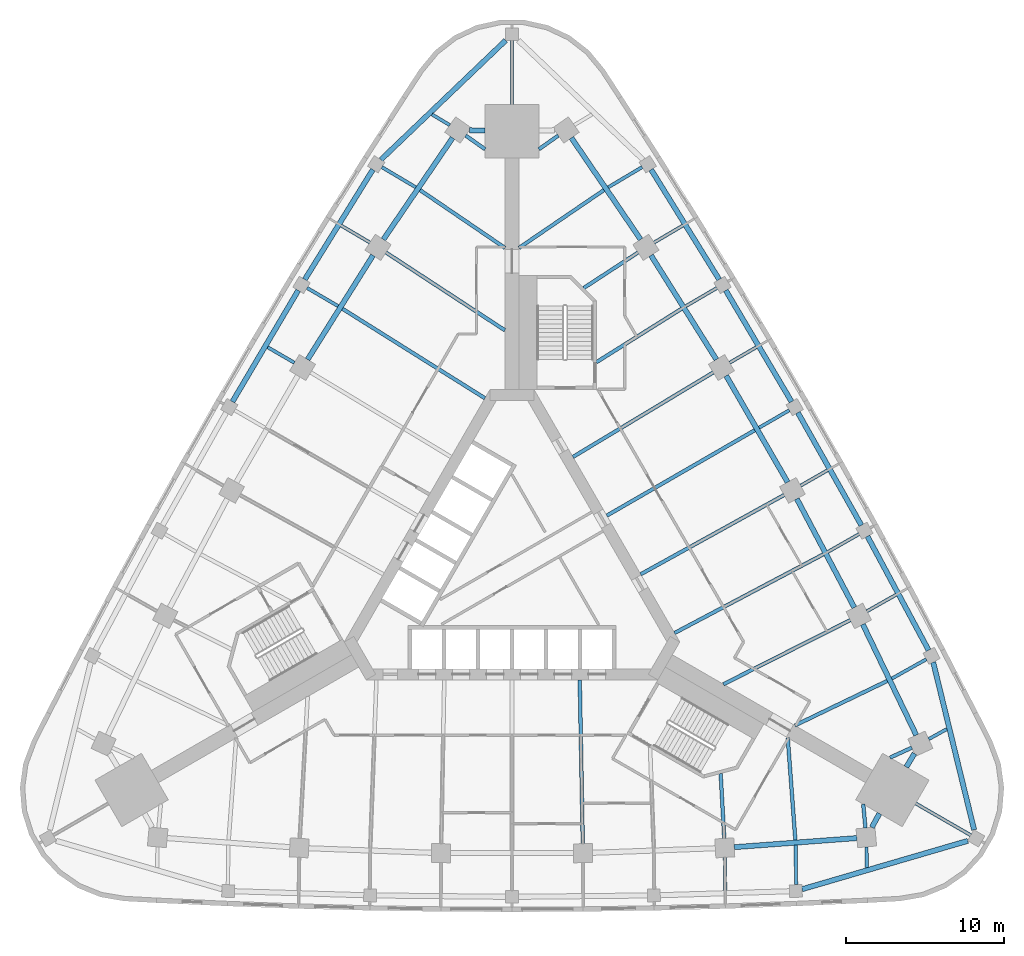
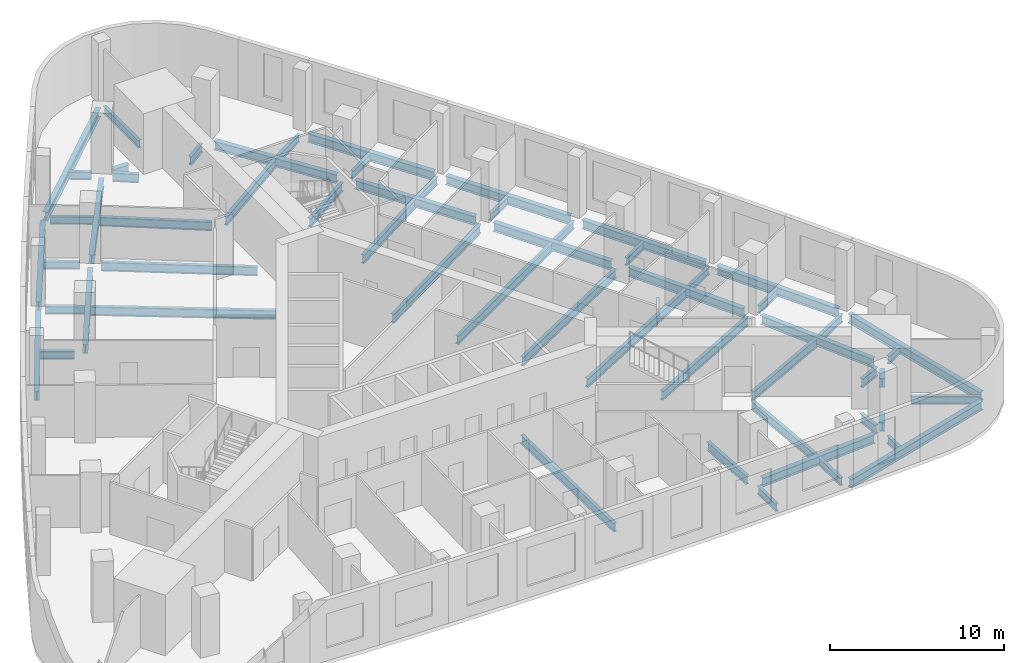
# One storey, part 2 of 11: 59 beams.
"""IFC4 building model written with IfcOpenShell, lengths in metres."""

from ifc_helpers import new_model, si_unit, direction, frame, origin, origin_2d, place, context, subcontext, project, spatial, i_section, extrude, material, material_profile, profile_set, type_object, element, save


model = new_model("IFC4")

# Units and contexts
model_context = context("Model", 3, precision=1e-05, world=origin(), true_north=direction((0.0, 1.0)))
body_context = subcontext(model_context, "Body", "Model", "MODEL_VIEW")
ifc_project = project(units=[si_unit("LENGTHUNIT", "METRE"), si_unit("AREAUNIT", "SQUARE_METRE"), si_unit("VOLUMEUNIT", "CUBIC_METRE"), si_unit("PLANEANGLEUNIT", "RADIAN"), si_unit("MASSUNIT", "GRAM", prefix="KILO")], contexts=[model_context])

# Site, building, storey
site_placement = place(None, origin())
site = spatial("IfcSite", under=ifc_project, at=site_placement, CompositionType="ELEMENT")
building_placement = place(site_placement, origin())
building = spatial("IfcBuilding", under=site, at=building_placement, Name="Noor Cloister Tower", CompositionType="ELEMENT")
storey_placement = place(building_placement, frame((0.0, 0.0, 15.0)))
storey = spatial("IfcBuildingStorey", under=building, at=storey_placement, Name="L03", CompositionType="ELEMENT", Elevation=15.0)

# Beams
ifc_material_1 = material(Name="Steel ASTM A992 Gr 50", Category="steel")
ifc_material_profile_1 = material_profile(ifc_material_1, i_section(OverallWidth=0.324951171875, OverallDepth=0.612060546875, WebThickness=0.0126953125, FlangeThickness=0.01904296875, FilletRadius=0.0126953125, at=origin_2d()), Name="W610x155")
ifc_profile_set_1 = profile_set([ifc_material_profile_1], Name="Steel ASTM A992 Gr 50")
beam_type_1 = type_object("IfcBeamType", Name="Podium column line beam W610x155", PredefinedType="BEAM", material=ifc_profile_set_1)
for number, where, z_axis, x_axis, name in (
    (1, (-3.7587890625, 27.36376953125, -0.555908203125), (-0.562836146896, -0.826568491867, 0.0), (0.826568491867, -0.562836146896, 0.0), "Podium column line beam NW 00 L03"),
    (2, (-8.7939453125, 19.9296875, -0.555908203125), (-0.531794830589, -0.846873224373, 0.0), (0.846873224373, -0.531794830589, 0.0), "Podium column line beam NW 02 L03"),
):
    element("IfcBeam", number, at=place(storey_placement, frame(where, z_axis=z_axis, x_axis=x_axis)), inside=storey, type_object=beam_type_1, Name=name, PredefinedType="BEAM", context=body_context, shape_type="SweptSolid", body=[
        extrude(i_section(OverallWidth=0.324951171875, OverallDepth=0.612060546875, WebThickness=0.0126953125, FlangeThickness=0.01904296875, FilletRadius=0.0126953125, at=origin_2d()), origin(), (0.0, 0.0, 1.0), 7.77880859375),
    ])
beam_1_placement = place(storey_placement, frame((14.060791015625, -17.513916015625, -0.555908203125), z_axis=(0.997246218275, 0.074161850945, 0.0), x_axis=(-0.074161850945, 0.997246218275, 0.0)))
element("IfcBeam", 3, at=beam_1_placement, inside=storey, type_object=beam_type_1, Name="Podium column line beam S 08 L03", PredefinedType="BEAM", context=body_context, shape_type="SweptSolid", body=[
    extrude(i_section(OverallWidth=0.324951171875, OverallDepth=0.612060546875, WebThickness=0.0126953125, FlangeThickness=0.01904296875, FilletRadius=0.0126953125, at=origin_2d()), origin(), (0.0, 0.0, 1.0), 7.779052734375),
])
for number, where, z_axis, x_axis, name in (
    (4, (25.5771484375, -10.4267578125, -0.555908203125), (-0.434400589533, 0.900719783181, 0.0), (-0.900719783181, -0.434400589533, 0.0), "Podium column line beam NE 00 L03"),
    (5, (21.65673828125, -2.34912109375, -0.555908203125), (-0.467547366886, 0.883968019624, 0.0), (-0.883968019624, -0.467547366886, 0.0), "Podium column line beam NE 02 L03"),
):
    element("IfcBeam", number, at=place(storey_placement, frame(where, z_axis=z_axis, x_axis=x_axis)), inside=storey, type_object=beam_type_1, Name=name, PredefinedType="BEAM", context=body_context, shape_type="SweptSolid", body=[
        extrude(i_section(OverallWidth=0.324951171875, OverallDepth=0.612060546875, WebThickness=0.0126953125, FlangeThickness=0.01904296875, FilletRadius=0.0126953125, at=origin_2d()), origin(), (0.0, 0.0, 1.0), 7.77880859375),
    ])
beam_2_placement = place(storey_placement, frame((17.439208984375, 5.577392578125, -0.555908203125), z_axis=(-0.499990506207, 0.866030884959, 0.0), x_axis=(-0.866030884959, -0.499990506207, 0.0)))
element("IfcBeam", 6, at=beam_2_placement, inside=storey, type_object=beam_type_1, Name="Podium column line beam NE 04 L03", PredefinedType="BEAM", context=body_context, shape_type="SweptSolid", body=[
    extrude(i_section(OverallWidth=0.324951171875, OverallDepth=0.612060546875, WebThickness=0.0126953125, FlangeThickness=0.01904296875, FilletRadius=0.0126953125, at=origin_2d()), origin(), (0.0, 0.0, 1.0), 7.779052734375),
])
for number, where, z_axis, x_axis, name in (
    (7, (12.9306640625, 13.342041015625, -0.555908203125), (-0.531794830589, 0.846873224373, 0.0), (-0.846873224373, -0.531794830589, 0.0), "Podium column line beam NE 06 L03"),
    (8, (8.136962890625, 20.93408203125, -0.555908203125), (-0.562836146896, 0.826568491867, 0.0), (-0.826568491867, -0.562836146896, 0.0), "Podium column line beam NE 08 L03"),
):
    element("IfcBeam", number, at=place(storey_placement, frame(where, z_axis=z_axis, x_axis=x_axis)), inside=storey, type_object=beam_type_1, Name=name, PredefinedType="BEAM", context=body_context, shape_type="SweptSolid", body=[
        extrude(i_section(OverallWidth=0.324951171875, OverallDepth=0.612060546875, WebThickness=0.0126953125, FlangeThickness=0.01904296875, FilletRadius=0.0126953125, at=origin_2d()), origin(), (0.0, 0.0, 1.0), 7.77880859375),
    ])
for number, where, z_axis, x_axis, name in (
    (9, (-2.6962890625, 27.8447265625, -0.555908203125), (0.999788233423, -0.020578831563, 0.0), (0.020578831563, 0.999788233423, 0.0), "Podium end beam NW 00 L03"),
    (10, (22.76611328125, -16.257568359375, -0.555908203125), (0.48185292196, 0.876252110753, 0.0), (-0.876252110753, 0.48185292196, 0.0), "Podium end beam S 10 L03"),
    (11, (25.46240234375, -11.58740234375, -0.555908203125), (-0.517698861359, -0.855562907651, 0.0), (0.855562907651, -0.517698861359, 0.0), "Podium end beam NE 00 L03"),
):
    element("IfcBeam", number, at=place(storey_placement, frame(where, z_axis=z_axis, x_axis=x_axis)), inside=storey, type_object=beam_type_1, Name=name, PredefinedType="BEAM", context=body_context, shape_type="SweptSolid", body=[
        extrude(i_section(OverallWidth=0.324951171875, OverallDepth=0.612060546875, WebThickness=0.0126953125, FlangeThickness=0.01904296875, FilletRadius=0.0126953125, at=origin_2d()), origin(), (0.0, 0.0, 1.0), 0.99658203125),
    ])
ifc_material_2 = material(Name="Steel ASTM A992 Gr 50", Category="steel")
ifc_material_profile_2 = material_profile(ifc_material_2, i_section(OverallWidth=0.324951171875, OverallDepth=0.616943359375, WebThickness=0.013916015625, FlangeThickness=0.021484375, FilletRadius=0.0126953125, at=origin_2d()), Name="W610x174")
ifc_profile_set_2 = profile_set([ifc_material_profile_2], Name="Steel ASTM A992 Gr 50")
beam_type_2 = type_object("IfcBeamType", Name="Podium perimeter beam W610x174", PredefinedType="BEAM", material=ifc_profile_set_2)
beam_3_placement = place(storey_placement, frame((-0.39990234375, 33.530517578125, -0.55859375), z_axis=(-0.722642827837, -0.691221631154, 0.0), x_axis=(0.691221631154, -0.722642827837, 0.0)))
element("IfcBeam", 12, at=beam_3_placement, inside=storey, type_object=beam_type_2, Name="Podium perimeter beam 01 L03", PredefinedType="BEAM", context=body_context, shape_type="SweptSolid", body=[
    extrude(i_section(OverallWidth=0.324951171875, OverallDepth=0.616943359375, WebThickness=0.013916015625, FlangeThickness=0.021484375, FilletRadius=0.0126953125, at=origin_2d()), origin(), (0.0, 0.0, 1.0), 10.924560546875),
])
beam_4_placement = place(storey_placement, frame((-8.802978515625, 25.3544921875, -0.55859375), z_axis=(-0.526431670639, -0.85021744051, 0.0), x_axis=(0.85021744051, -0.526431670639, 0.0)))
element("IfcBeam", 13, at=beam_4_placement, inside=storey, type_object=beam_type_2, Name="Podium perimeter beam 02 L03", PredefinedType="BEAM", context=body_context, shape_type="SweptSolid", body=[
    extrude(i_section(OverallWidth=0.324951171875, OverallDepth=0.616943359375, WebThickness=0.013916015625, FlangeThickness=0.021484375, FilletRadius=0.0126953125, at=origin_2d()), origin(), (0.0, 0.0, 1.0), 8.180419921875),
])
beam_5_placement = place(storey_placement, frame((-13.5234375, 17.71484375, -0.55859375), z_axis=(-0.508871084259, -0.860842738022, 0.0), x_axis=(0.860842738022, -0.508871084259, 0.0)))
element("IfcBeam", 14, at=beam_5_placement, inside=storey, type_object=beam_type_2, Name="Podium perimeter beam 03 L03", PredefinedType="BEAM", context=body_context, shape_type="SweptSolid", body=[
    extrude(i_section(OverallWidth=0.324951171875, OverallDepth=0.616943359375, WebThickness=0.013916015625, FlangeThickness=0.021484375, FilletRadius=0.0126953125, at=origin_2d()), origin(), (0.0, 0.0, 1.0), 8.18017578125),
])
for number, where, z_axis, x_axis, name in (
    (15, (18.3515625, -20.1728515625, -0.55859375), (0.959935397728, 0.280221398522, 0.0), (-0.280221398522, 0.959935397728, 0.0), "Podium perimeter beam 12 L03"),
    (16, (29.23828125, -16.4189453125, -0.55859375), (-0.237289539542, 0.971438971024, 0.0), (-0.971438971024, -0.237289539542, 0.0), "Podium perimeter beam 13 L03"),
):
    element("IfcBeam", number, at=place(storey_placement, frame(where, z_axis=z_axis, x_axis=x_axis)), inside=storey, type_object=beam_type_2, Name=name, PredefinedType="BEAM", context=body_context, shape_type="SweptSolid", body=[
        extrude(i_section(OverallWidth=0.324951171875, OverallDepth=0.616943359375, WebThickness=0.013916015625, FlangeThickness=0.021484375, FilletRadius=0.0126953125, at=origin_2d()), origin(), (0.0, 0.0, 1.0), 10.924560546875),
    ])
for number, where, z_axis, x_axis, name in (
    (17, (26.35888671875, -5.0537109375, -0.55859375), (-0.47307258725, 0.881023454394, 0.0), (-0.881023454394, -0.47307258725, 0.0), "Podium perimeter beam 14 L03"),
    (18, (22.103271484375, 2.854248046875, -0.55859375), (-0.491071539523, 0.871119247331, 0.0), (-0.871119247331, -0.491071539523, 0.0), "Podium perimeter beam 15 L03"),
    (19, (17.68603515625, 10.673095703125, -0.55859375), (-0.508871084259, 0.860842738022, 0.0), (-0.860842738022, -0.508871084259, 0.0), "Podium perimeter beam 16 L03"),
):
    element("IfcBeam", number, at=place(storey_placement, frame(where, z_axis=z_axis, x_axis=x_axis)), inside=storey, type_object=beam_type_2, Name=name, PredefinedType="BEAM", context=body_context, shape_type="SweptSolid", body=[
        extrude(i_section(OverallWidth=0.324951171875, OverallDepth=0.616943359375, WebThickness=0.013916015625, FlangeThickness=0.021484375, FilletRadius=0.0126953125, at=origin_2d()), origin(), (0.0, 0.0, 1.0), 8.18017578125),
    ])
beam_6_placement = place(storey_placement, frame((13.109375, 18.3994140625, -0.55859375), z_axis=(-0.526431670639, 0.85021744051, 0.0), x_axis=(-0.85021744051, -0.526431670639, 0.0)))
element("IfcBeam", 20, at=beam_6_placement, inside=storey, type_object=beam_type_2, Name="Podium perimeter beam 17 L03", PredefinedType="BEAM", context=body_context, shape_type="SweptSolid", body=[
    extrude(i_section(OverallWidth=0.324951171875, OverallDepth=0.616943359375, WebThickness=0.013916015625, FlangeThickness=0.021484375, FilletRadius=0.0126953125, at=origin_2d()), origin(), (0.0, 0.0, 1.0), 8.180419921875),
])
ifc_material_3 = material(Name="Steel ASTM A992 Gr 50", Category="steel")
ifc_material_profile_3 = material_profile(ifc_material_3, i_section(OverallWidth=0.22900390625, OverallDepth=0.612060546875, WebThickness=0.011962890625, FlangeThickness=0.01953125, FilletRadius=0.0126953125, at=origin_2d()), Name="W610x125")
ifc_profile_set_3 = profile_set([ifc_material_profile_3], Name="Steel ASTM A992 Gr 50")
beam_type_3 = type_object("IfcBeamType", Name="Podium radial beam W610x125", PredefinedType="BEAM", material=ifc_profile_set_3)
beam_7_placement = place(storey_placement, frame((-2.931396484375, 27.512939453125, -0.555908203125), z_axis=(0.816011763041, -0.578035295271, 0.0), x_axis=(0.578035295271, 0.816011763041, 0.0)))
element("IfcBeam", 21, at=beam_7_placement, inside=storey, type_object=beam_type_3, Name="Podium radial beam NW 00 L03", PredefinedType="BEAM", context=body_context, shape_type="SweptSolid", body=[
    extrude(i_section(OverallWidth=0.22900390625, OverallDepth=0.612060546875, WebThickness=0.011962890625, FlangeThickness=0.01953125, FilletRadius=0.0126953125, at=origin_2d()), origin(), (0.0, 0.0, 1.0), 1.509033203125),
])
beam_8_placement = place(storey_placement, frame((-5.813720703125, 24.057373046875, -0.555908203125), z_axis=(0.826586958388, -0.562809026423, 0.0), x_axis=(0.562809026423, 0.826586958388, 0.0)))
element("IfcBeam", 22, at=beam_8_placement, inside=storey, type_object=beam_type_3, Name="Podium radial beam NW 01 L03", PredefinedType="BEAM", context=body_context, shape_type="SweptSolid", body=[
    extrude(i_section(OverallWidth=0.22900390625, OverallDepth=0.612060546875, WebThickness=0.011962890625, FlangeThickness=0.01953125, FilletRadius=0.0126953125, at=origin_2d()), origin(), (0.0, 0.0, 1.0), 6.489013671875),
])
beam_9_placement = place(storey_placement, frame((-7.97265625, 20.109619140625, -0.555908203125), z_axis=(0.836869601911, -0.547402292101, 0.0), x_axis=(0.547402292101, 0.836869601911, 0.0)))
element("IfcBeam", 23, at=beam_9_placement, inside=storey, type_object=beam_type_3, Name="Podium radial beam NW 02 L03", PredefinedType="BEAM", context=body_context, shape_type="SweptSolid", body=[
    extrude(i_section(OverallWidth=0.22900390625, OverallDepth=0.612060546875, WebThickness=0.011962890625, FlangeThickness=0.01953125, FilletRadius=0.0126953125, at=origin_2d()), origin(), (0.0, 0.0, 1.0), 8.989013671875),
])
beam_10_placement = place(storey_placement, frame((-10.724609375, 16.549560546875, -0.555908203125), z_axis=(0.846875091453, -0.531791857287, 0.0), x_axis=(0.531791857287, 0.846875091453, 0.0)))
element("IfcBeam", 24, at=beam_10_placement, inside=storey, type_object=beam_type_3, Name="Podium radial beam NW 03 L03", PredefinedType="BEAM", context=body_context, shape_type="SweptSolid", body=[
    extrude(i_section(OverallWidth=0.22900390625, OverallDepth=0.612060546875, WebThickness=0.011962890625, FlangeThickness=0.01953125, FilletRadius=0.0126953125, at=origin_2d()), origin(), (0.0, 0.0, 1.0), 10.6416015625),
])
beam_11_placement = place(storey_placement, frame((4.478515625, -17.29150390625, -0.555908203125), z_axis=(-0.018560692037, 0.999827735518, 0.0), x_axis=(-0.999827735518, -0.018560692037, 0.0)))
element("IfcBeam", 25, at=beam_11_placement, inside=storey, type_object=beam_type_3, Name="Podium radial beam S 06 L03", PredefinedType="BEAM", context=body_context, shape_type="SweptSolid", body=[
    extrude(i_section(OverallWidth=0.22900390625, OverallDepth=0.612060546875, WebThickness=0.011962890625, FlangeThickness=0.01953125, FilletRadius=0.0126953125, at=origin_2d()), origin(), (0.0, 0.0, 1.0), 10.364990234375),
])
beam_12_placement = place(storey_placement, frame((13.428955078125, -16.959228515625, -0.555908203125), z_axis=(-0.055591728913, 0.998453584137, 0.0), x_axis=(-0.998453584137, -0.055591728913, 0.0)))
element("IfcBeam", 26, at=beam_12_placement, inside=storey, type_object=beam_type_3, Name="Podium radial beam S 08 L03", PredefinedType="BEAM", context=body_context, shape_type="SweptSolid", body=[
    extrude(i_section(OverallWidth=0.22900390625, OverallDepth=0.612060546875, WebThickness=0.011962890625, FlangeThickness=0.01953125, FilletRadius=0.0126953125, at=origin_2d()), origin(), (0.0, 0.0, 1.0), 4.110595703125),
])
beam_13_placement = place(storey_placement, frame((17.927490234375, -17.0634765625, -0.555908203125), z_axis=(-0.074118366359, 0.997249451125, 0.0), x_axis=(-0.997249451125, -0.074118366359, 0.0)))
element("IfcBeam", 27, at=beam_13_placement, inside=storey, type_object=beam_type_3, Name="Podium radial beam S 09 L03", PredefinedType="BEAM", context=body_context, shape_type="SweptSolid", body=[
    extrude(i_section(OverallWidth=0.22900390625, OverallDepth=0.612060546875, WebThickness=0.011962890625, FlangeThickness=0.01953125, FilletRadius=0.0126953125, at=origin_2d()), origin(), (0.0, 0.0, 1.0), 6.489013671875),
])
for number, where, z_axis, x_axis, name in (
    (28, (22.361328125, -16.295166015625, -0.555908203125), (-0.09269423525, 0.995694621233, 0.0), (-0.995694621233, -0.09269423525, 0.0), "Podium radial beam S 10 L03"),
    (29, (25.292724609375, -11.2177734375, -0.555908203125), (-0.908602193803, -0.417662607157, 0.0), (0.417662607157, -0.908602193803, 0.0), "Podium radial beam NE 00 L03"),
):
    element("IfcBeam", number, at=place(storey_placement, frame(where, z_axis=z_axis, x_axis=x_axis)), inside=storey, type_object=beam_type_3, Name=name, PredefinedType="BEAM", context=body_context, shape_type="SweptSolid", body=[
        extrude(i_section(OverallWidth=0.22900390625, OverallDepth=0.612060546875, WebThickness=0.011962890625, FlangeThickness=0.01953125, FilletRadius=0.0126953125, at=origin_2d()), origin(), (0.0, 0.0, 1.0), 1.50927734375),
    ])
beam_14_placement = place(storey_placement, frame((23.7412109375, -6.993896484375, -0.555908203125), z_axis=(-0.900702438264, -0.43443655199, 0.0), x_axis=(0.43443655199, -0.900702438264, 0.0)))
element("IfcBeam", 30, at=beam_14_placement, inside=storey, type_object=beam_type_3, Name="Podium radial beam NE 01 L03", PredefinedType="BEAM", context=body_context, shape_type="SweptSolid", body=[
    extrude(i_section(OverallWidth=0.22900390625, OverallDepth=0.612060546875, WebThickness=0.011962890625, FlangeThickness=0.01953125, FilletRadius=0.0126953125, at=origin_2d()), origin(), (0.0, 0.0, 1.0), 6.489013671875),
])
beam_15_placement = place(storey_placement, frame((21.401611328125, -3.150146484375, -0.555908203125), z_axis=(-0.892490546955, -0.451066096705, 0.0), x_axis=(0.451066096705, -0.892490546955, 0.0)))
element("IfcBeam", 31, at=beam_15_placement, inside=storey, type_object=beam_type_3, Name="Podium radial beam NE 02 L03", PredefinedType="BEAM", context=body_context, shape_type="SweptSolid", body=[
    extrude(i_section(OverallWidth=0.22900390625, OverallDepth=0.612060546875, WebThickness=0.011962890625, FlangeThickness=0.01953125, FilletRadius=0.0126953125, at=origin_2d()), origin(), (0.0, 0.0, 1.0), 8.989013671875),
])
beam_16_placement = place(storey_placement, frame((19.694580078125, 1.01318359375, -0.555908203125), z_axis=(-0.883975349121, -0.467533509116, 0.0), x_axis=(0.467533509116, -0.883975349121, 0.0)))
element("IfcBeam", 32, at=beam_16_placement, inside=storey, type_object=beam_type_3, Name="Podium radial beam NE 03 L03", PredefinedType="BEAM", context=body_context, shape_type="SweptSolid", body=[
    extrude(i_section(OverallWidth=0.22900390625, OverallDepth=0.612060546875, WebThickness=0.011962890625, FlangeThickness=0.01953125, FilletRadius=0.0126953125, at=origin_2d()), origin(), (0.0, 0.0, 1.0), 10.6416015625),
])
beam_17_placement = place(storey_placement, frame((17.214111328125, 4.767333984375, -0.555908203125), z_axis=(-0.875152039929, -0.483848020568, 0.0), x_axis=(0.483848020568, -0.875152039929, 0.0)))
element("IfcBeam", 33, at=beam_17_placement, inside=storey, type_object=beam_type_3, Name="Podium radial beam NE 04 L03", PredefinedType="BEAM", context=body_context, shape_type="SweptSolid", body=[
    extrude(i_section(OverallWidth=0.22900390625, OverallDepth=0.612060546875, WebThickness=0.011962890625, FlangeThickness=0.01953125, FilletRadius=0.0126953125, at=origin_2d()), origin(), (0.0, 0.0, 1.0), 10.364990234375),
])
beam_18_placement = place(storey_placement, frame((15.353759765625, 8.864501953125, -0.555908203125), z_axis=(-0.866025607992, -0.499999646302, 0.0), x_axis=(0.499999646302, -0.866025607992, 0.0)))
element("IfcBeam", 34, at=beam_18_placement, inside=storey, type_object=beam_type_3, Name="Podium radial beam NE 05 L03", PredefinedType="BEAM", context=body_context, shape_type="SweptSolid", body=[
    extrude(i_section(OverallWidth=0.22900390625, OverallDepth=0.612060546875, WebThickness=0.011962890625, FlangeThickness=0.01953125, FilletRadius=0.0126953125, at=origin_2d()), origin(), (0.0, 0.0, 1.0), 10.80078125),
])
beam_19_placement = place(storey_placement, frame((12.73583984375, 12.524169921875, -0.555908203125), z_axis=(-0.856606308575, -0.515970572911, 0.0), x_axis=(0.515970572911, -0.856606308575, 0.0)))
element("IfcBeam", 35, at=beam_19_placement, inside=storey, type_object=beam_type_3, Name="Podium radial beam NE 06 L03", PredefinedType="BEAM", context=body_context, shape_type="SweptSolid", body=[
    extrude(i_section(OverallWidth=0.22900390625, OverallDepth=0.612060546875, WebThickness=0.011962890625, FlangeThickness=0.01953125, FilletRadius=0.0126953125, at=origin_2d()), origin(), (0.0, 0.0, 1.0), 10.365234375),
])
beam_20_placement = place(storey_placement, frame((10.724609375, 16.549560546875, -0.555908203125), z_axis=(-0.846869093356, -0.531801409098, 0.0), x_axis=(0.531801409098, -0.846869093356, 0.0)))
element("IfcBeam", 36, at=beam_20_placement, inside=storey, type_object=beam_type_3, Name="Podium radial beam NE 07 L03", PredefinedType="BEAM", context=body_context, shape_type="SweptSolid", body=[
    extrude(i_section(OverallWidth=0.22900390625, OverallDepth=0.612060546875, WebThickness=0.011962890625, FlangeThickness=0.01953125, FilletRadius=0.0126953125, at=origin_2d()), origin(), (0.0, 0.0, 1.0), 6.36328125),
])
beam_21_placement = place(storey_placement, frame((7.97265625, 20.109619140625, -0.555908203125), z_axis=(-0.836852408304, -0.547428576816, 0.0), x_axis=(0.547428576816, -0.836852408304, 0.0)))
element("IfcBeam", 37, at=beam_21_placement, inside=storey, type_object=beam_type_3, Name="Podium radial beam NE 08 L03", PredefinedType="BEAM", context=body_context, shape_type="SweptSolid", body=[
    extrude(i_section(OverallWidth=0.22900390625, OverallDepth=0.612060546875, WebThickness=0.011962890625, FlangeThickness=0.01953125, FilletRadius=0.0126953125, at=origin_2d()), origin(), (0.0, 0.0, 1.0), 4.110595703125),
])
beam_22_placement = place(storey_placement, frame((5.813720703125, 24.057373046875, -0.555908203125), z_axis=(-0.826586958388, -0.562809026423, 0.0), x_axis=(0.562809026423, -0.826586958388, 0.0)))
element("IfcBeam", 38, at=beam_22_placement, inside=storey, type_object=beam_type_3, Name="Podium radial beam NE 09 L03", PredefinedType="BEAM", context=body_context, shape_type="SweptSolid", body=[
    extrude(i_section(OverallWidth=0.22900390625, OverallDepth=0.612060546875, WebThickness=0.011962890625, FlangeThickness=0.01953125, FilletRadius=0.0126953125, at=origin_2d()), origin(), (0.0, 0.0, 1.0), 6.489013671875),
])
beam_23_placement = place(storey_placement, frame((2.931396484375, 27.512939453125, -0.555908203125), z_axis=(-0.816011763041, -0.578035295271, 0.0), x_axis=(0.578035295271, -0.816011763041, 0.0)))
element("IfcBeam", 39, at=beam_23_placement, inside=storey, type_object=beam_type_3, Name="Podium radial beam NE 10 L03", PredefinedType="BEAM", context=body_context, shape_type="SweptSolid", body=[
    extrude(i_section(OverallWidth=0.22900390625, OverallDepth=0.612060546875, WebThickness=0.011962890625, FlangeThickness=0.01953125, FilletRadius=0.0126953125, at=origin_2d()), origin(), (0.0, 0.0, 1.0), 1.509033203125),
])
ifc_material_4 = material(Name="Steel ASTM A992 Gr 50", Category="steel")
ifc_material_profile_4 = material_profile(ifc_material_4, i_section(OverallWidth=0.208984375, OverallDepth=0.532958984375, WebThickness=0.01025390625, FlangeThickness=0.015625, FilletRadius=0.0126953125, at=origin_2d()), Name="W530x92")
ifc_profile_set_4 = profile_set([ifc_material_profile_4], Name="Steel ASTM A992 Gr 50")
beam_type_4 = type_object("IfcBeamType", Name="Podium stub beam W530x92", PredefinedType="BEAM", material=ifc_profile_set_4)
beam_24_placement = place(storey_placement, frame((-3.936767578125, 28.169921875, -0.5166015625), z_axis=(-0.85703318355, 0.515261217534, 0.0), x_axis=(-0.515261217534, -0.85703318355, 0.0)))
element("IfcBeam", 40, at=beam_24_placement, inside=storey, type_object=beam_type_4, Name="Podium stub beam NW 00 L03", PredefinedType="BEAM", context=body_context, shape_type="SweptSolid", body=[
    extrude(i_section(OverallWidth=0.208984375, OverallDepth=0.532958984375, WebThickness=0.01025390625, FlangeThickness=0.015625, FilletRadius=0.0126953125, at=origin_2d()), origin(), (0.0, 0.0, 1.0), 1.31298828125),
])
beam_25_placement = place(storey_placement, frame((-6.08642578125, 24.234375, -0.5166015625), z_axis=(-0.859392031869, 0.511317255292, 0.0), x_axis=(-0.511317255292, -0.859392031869, 0.0)))
element("IfcBeam", 41, at=beam_25_placement, inside=storey, type_object=beam_type_4, Name="Podium stub beam NW 01 L03", PredefinedType="BEAM", context=body_context, shape_type="SweptSolid", body=[
    extrude(i_section(OverallWidth=0.208984375, OverallDepth=0.532958984375, WebThickness=0.01025390625, FlangeThickness=0.015625, FilletRadius=0.0126953125, at=origin_2d()), origin(), (0.0, 0.0, 1.0), 2.4990234375),
])
beam_26_placement = place(storey_placement, frame((-8.9921875, 20.7431640625, -0.5166015625), z_axis=(-0.861388026726, 0.507947504583, 0.0), x_axis=(-0.507947504583, -0.861388026726, 0.0)))
element("IfcBeam", 42, at=beam_26_placement, inside=storey, type_object=beam_type_4, Name="Podium stub beam NW 02 L03", PredefinedType="BEAM", context=body_context, shape_type="SweptSolid", body=[
    extrude(i_section(OverallWidth=0.208984375, OverallDepth=0.532958984375, WebThickness=0.01025390625, FlangeThickness=0.015625, FilletRadius=0.0126953125, at=origin_2d()), origin(), (0.0, 0.0, 1.0), 2.104736328125),
])
beam_27_placement = place(storey_placement, frame((-11.001953125, 16.71923828125, -0.5166015625), z_axis=(-0.863117063039, 0.505003896511, 0.0), x_axis=(-0.505003896511, -0.863117063039, 0.0)))
element("IfcBeam", 43, at=beam_27_placement, inside=storey, type_object=beam_type_4, Name="Podium stub beam NW 03 L03", PredefinedType="BEAM", context=body_context, shape_type="SweptSolid", body=[
    extrude(i_section(OverallWidth=0.208984375, OverallDepth=0.532958984375, WebThickness=0.01025390625, FlangeThickness=0.015625, FilletRadius=0.0126953125, at=origin_2d()), origin(), (0.0, 0.0, 1.0), 2.277099609375),
])
beam_28_placement = place(storey_placement, frame((-13.7685546875, 13.13525390625, -0.5166015625), z_axis=(-0.864596671595, 0.502466511786, 0.0), x_axis=(-0.502466511786, -0.864596671595, 0.0)))
element("IfcBeam", 44, at=beam_28_placement, inside=storey, type_object=beam_type_4, Name="Podium stub beam NW 04 L03", PredefinedType="BEAM", context=body_context, shape_type="SweptSolid", body=[
    extrude(i_section(OverallWidth=0.208984375, OverallDepth=0.532958984375, WebThickness=0.01025390625, FlangeThickness=0.015625, FilletRadius=0.0126953125, at=origin_2d()), origin(), (0.0, 0.0, 1.0), 1.95703125),
])
beam_29_placement = place(storey_placement, frame((13.468017578125, -18.158935546875, -0.5166015625), z_axis=(0.009163285382, -0.999958016219, 0.0), x_axis=(0.999958016219, 0.009163285382, 0.0)))
element("IfcBeam", 45, at=beam_29_placement, inside=storey, type_object=beam_type_4, Name="Podium stub beam S 08 L03", PredefinedType="BEAM", context=body_context, shape_type="SweptSolid", body=[
    extrude(i_section(OverallWidth=0.208984375, OverallDepth=0.532958984375, WebThickness=0.01025390625, FlangeThickness=0.015625, FilletRadius=0.0126953125, at=origin_2d()), origin(), (0.0, 0.0, 1.0), 2.104736328125),
])
beam_30_placement = place(storey_placement, frame((17.9443359375, -17.38818359375, -0.5166015625), z_axis=(0.013089929593, -0.999914323201, 0.0), x_axis=(0.999914323201, 0.013089929593, 0.0)))
element("IfcBeam", 46, at=beam_30_placement, inside=storey, type_object=beam_type_4, Name="Podium stub beam S 09 L03", PredefinedType="BEAM", context=body_context, shape_type="SweptSolid", body=[
    extrude(i_section(OverallWidth=0.208984375, OverallDepth=0.532958984375, WebThickness=0.01025390625, FlangeThickness=0.015625, FilletRadius=0.0126953125, at=origin_2d()), origin(), (0.0, 0.0, 1.0), 2.499267578125),
])
beam_31_placement = place(storey_placement, frame((22.427490234375, -17.494140625, -0.5166015625), z_axis=(0.017661803966, -0.999844018175, 0.0), x_axis=(0.999844018175, 0.017661803966, 0.0)))
element("IfcBeam", 47, at=beam_31_placement, inside=storey, type_object=beam_type_4, Name="Podium stub beam S 10 L03", PredefinedType="BEAM", context=body_context, shape_type="SweptSolid", body=[
    extrude(i_section(OverallWidth=0.208984375, OverallDepth=0.532958984375, WebThickness=0.01025390625, FlangeThickness=0.015625, FilletRadius=0.0126953125, at=origin_2d()), origin(), (0.0, 0.0, 1.0), 1.313232421875),
])
beam_32_placement = place(storey_placement, frame((26.3642578125, -10.675537109375, -0.5166015625), z_axis=(0.874735573686, 0.484600532531, 0.0), x_axis=(-0.484600532531, 0.874735573686, 0.0)))
element("IfcBeam", 48, at=beam_32_placement, inside=storey, type_object=beam_type_4, Name="Podium stub beam NE 00 L03", PredefinedType="BEAM", context=body_context, shape_type="SweptSolid", body=[
    extrude(i_section(OverallWidth=0.208984375, OverallDepth=0.532958984375, WebThickness=0.01025390625, FlangeThickness=0.015625, FilletRadius=0.0126953125, at=origin_2d()), origin(), (0.0, 0.0, 1.0), 1.31298828125),
])
beam_33_placement = place(storey_placement, frame((24.03076171875, -6.84619140625, -0.5166015625), z_axis=(0.872502684482, 0.488609317933, 0.0), x_axis=(-0.488609317933, 0.872502684482, 0.0)))
element("IfcBeam", 49, at=beam_33_placement, inside=storey, type_object=beam_type_4, Name="Podium stub beam NE 01 L03", PredefinedType="BEAM", context=body_context, shape_type="SweptSolid", body=[
    extrude(i_section(OverallWidth=0.208984375, OverallDepth=0.532958984375, WebThickness=0.01025390625, FlangeThickness=0.015625, FilletRadius=0.0126953125, at=origin_2d()), origin(), (0.0, 0.0, 1.0), 2.499267578125),
])
beam_34_placement = place(storey_placement, frame((22.460205078125, -2.583984375, -0.5166015625), z_axis=(0.870610366402, 0.491973159748, 0.0), x_axis=(-0.491973159748, 0.870610366402, 0.0)))
element("IfcBeam", 50, at=beam_34_placement, inside=storey, type_object=beam_type_4, Name="Podium stub beam NE 02 L03", PredefinedType="BEAM", context=body_context, shape_type="SweptSolid", body=[
    extrude(i_section(OverallWidth=0.208984375, OverallDepth=0.532958984375, WebThickness=0.01025390625, FlangeThickness=0.015625, FilletRadius=0.0126953125, at=origin_2d()), origin(), (0.0, 0.0, 1.0), 2.1044921875),
])
beam_35_placement = place(storey_placement, frame((19.980224609375, 1.16845703125, -0.5166015625), z_axis=(0.868954795395, 0.494891466446, 0.0), x_axis=(-0.494891466446, 0.868954795395, 0.0)))
element("IfcBeam", 51, at=beam_35_placement, inside=storey, type_object=beam_type_4, Name="Podium stub beam NE 03 L03", PredefinedType="BEAM", context=body_context, shape_type="SweptSolid", body=[
    extrude(i_section(OverallWidth=0.208984375, OverallDepth=0.532958984375, WebThickness=0.01025390625, FlangeThickness=0.015625, FilletRadius=0.0126953125, at=origin_2d()), origin(), (0.0, 0.0, 1.0), 2.277099609375),
])
beam_36_placement = place(storey_placement, frame((18.259765625, 5.356201171875, -0.5166015625), z_axis=(0.867389720101, 0.497629453974, 0.0), x_axis=(-0.497629453974, 0.867389720101, 0.0)))
element("IfcBeam", 52, at=beam_36_placement, inside=storey, type_object=beam_type_4, Name="Podium stub beam NE 04 L03", PredefinedType="BEAM", context=body_context, shape_type="SweptSolid", body=[
    extrude(i_section(OverallWidth=0.208984375, OverallDepth=0.532958984375, WebThickness=0.01025390625, FlangeThickness=0.015625, FilletRadius=0.0126953125, at=origin_2d()), origin(), (0.0, 0.0, 1.0), 1.95703125),
])
beam_37_placement = place(storey_placement, frame((15.63525390625, 9.027099609375, -0.5166015625), z_axis=(0.86602503688, 0.500000635496, 0.0), x_axis=(-0.500000635496, 0.86602503688, 0.0)))
element("IfcBeam", 53, at=beam_37_placement, inside=storey, type_object=beam_type_4, Name="Podium stub beam NE 05 L03", PredefinedType="BEAM", context=body_context, shape_type="SweptSolid", body=[
    extrude(i_section(OverallWidth=0.208984375, OverallDepth=0.532958984375, WebThickness=0.01025390625, FlangeThickness=0.015625, FilletRadius=0.0126953125, at=origin_2d()), origin(), (0.0, 0.0, 1.0), 2.203125),
])
beam_38_placement = place(storey_placement, frame((13.7685546875, 13.13525390625, -0.5166015625), z_axis=(0.864596671595, 0.502466511786, 0.0), x_axis=(-0.502466511786, 0.864596671595, 0.0)))
element("IfcBeam", 54, at=beam_38_placement, inside=storey, type_object=beam_type_4, Name="Podium stub beam NE 06 L03", PredefinedType="BEAM", context=body_context, shape_type="SweptSolid", body=[
    extrude(i_section(OverallWidth=0.208984375, OverallDepth=0.532958984375, WebThickness=0.01025390625, FlangeThickness=0.015625, FilletRadius=0.0126953125, at=origin_2d()), origin(), (0.0, 0.0, 1.0), 1.95703125),
])
beam_39_placement = place(storey_placement, frame((11.001953125, 16.71923828125, -0.5166015625), z_axis=(0.863117063039, 0.505003896511, 0.0), x_axis=(-0.505003896511, 0.863117063039, 0.0)))
element("IfcBeam", 55, at=beam_39_placement, inside=storey, type_object=beam_type_4, Name="Podium stub beam NE 07 L03", PredefinedType="BEAM", context=body_context, shape_type="SweptSolid", body=[
    extrude(i_section(OverallWidth=0.208984375, OverallDepth=0.532958984375, WebThickness=0.01025390625, FlangeThickness=0.015625, FilletRadius=0.0126953125, at=origin_2d()), origin(), (0.0, 0.0, 1.0), 2.277099609375),
])
beam_40_placement = place(storey_placement, frame((8.9921875, 20.7431640625, -0.5166015625), z_axis=(0.861388026726, 0.507947504583, 0.0), x_axis=(-0.507947504583, 0.861388026726, 0.0)))
element("IfcBeam", 56, at=beam_40_placement, inside=storey, type_object=beam_type_4, Name="Podium stub beam NE 08 L03", PredefinedType="BEAM", context=body_context, shape_type="SweptSolid", body=[
    extrude(i_section(OverallWidth=0.208984375, OverallDepth=0.532958984375, WebThickness=0.01025390625, FlangeThickness=0.015625, FilletRadius=0.0126953125, at=origin_2d()), origin(), (0.0, 0.0, 1.0), 2.104736328125),
])
beam_41_placement = place(storey_placement, frame((6.08642578125, 24.234375, -0.5166015625), z_axis=(0.859392031869, 0.511317255292, 0.0), x_axis=(-0.511317255292, 0.859392031869, 0.0)))
element("IfcBeam", 57, at=beam_41_placement, inside=storey, type_object=beam_type_4, Name="Podium stub beam NE 09 L03", PredefinedType="BEAM", context=body_context, shape_type="SweptSolid", body=[
    extrude(i_section(OverallWidth=0.208984375, OverallDepth=0.532958984375, WebThickness=0.01025390625, FlangeThickness=0.015625, FilletRadius=0.0126953125, at=origin_2d()), origin(), (0.0, 0.0, 1.0), 2.4990234375),
])
for number, where, z_axis, x_axis, name in (
    (58, (0.0, 29.489013671875, -0.5166015625), (0.0, 1.0, 0.0), (-1.0, 0.0, 0.0), "Podium corner stub beam N L03"),
    (59, (25.538330078125, -14.744384765625, -0.5166015625), (0.866001699761, -0.500041054325, 0.0), (0.500041054325, 0.866001699761, 0.0), "Podium corner stub beam SE L03"),
):
    element("IfcBeam", number, at=place(storey_placement, frame(where, z_axis=z_axis, x_axis=x_axis)), inside=storey, type_object=beam_type_4, Name=name, PredefinedType="BEAM", context=body_context, shape_type="SweptSolid", body=[
        extrude(i_section(OverallWidth=0.208984375, OverallDepth=0.532958984375, WebThickness=0.01025390625, FlangeThickness=0.015625, FilletRadius=0.0126953125, at=origin_2d()), origin(), (0.0, 0.0, 1.0), 4.024169921875),
    ])

save(model, "model.ifc")
